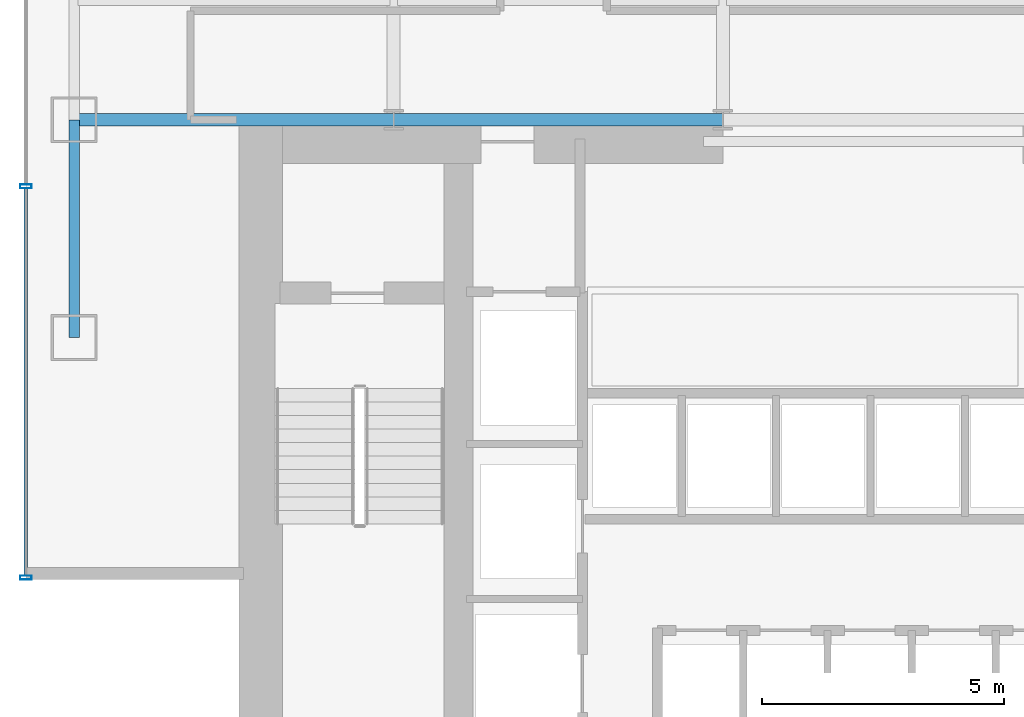
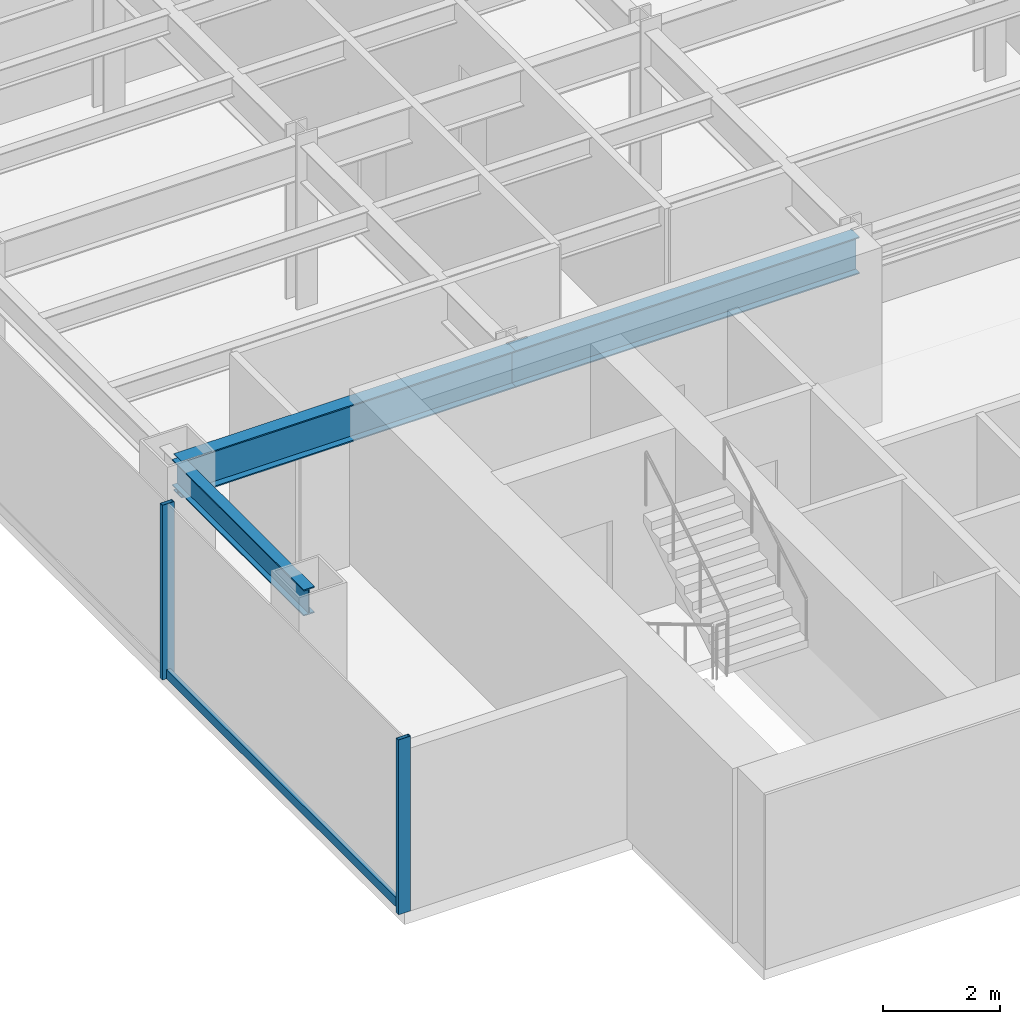
# One storey, part 2 of 22: 3 beams, 3 members, 1 element without a shape of its own.
"""IFC4 building model written with IfcOpenShell, lengths in metres."""

from ifc_helpers import new_model, si_unit, derived_unit, direction, frame, origin, origin_2d, place, context, subcontext, project, spatial, hollow_rectangle, i_section, extrude, source, transform, mapped, material, material_profile, profile_set, type_object, element, aggregate, save


model = new_model("IFC4")

# Units and contexts
model_context = context("Model", 3, precision=1e-05, world=origin(), true_north=direction((0.0, 1.0)))
body_context = subcontext(model_context, "Body", "Model", "MODEL_VIEW")
ifc_project = project(units=[si_unit("LENGTHUNIT", "METRE"), si_unit("AREAUNIT", "SQUARE_METRE"), si_unit("VOLUMEUNIT", "CUBIC_METRE"), si_unit("PLANEANGLEUNIT", "RADIAN"), si_unit("MASSUNIT", "GRAM", prefix="KILO"), derived_unit("THERMALTRANSMITTANCEUNIT", [(si_unit("POWERUNIT", "WATT"), 1), (si_unit("LENGTHUNIT", "METRE"), -2), (si_unit("THERMODYNAMICTEMPERATUREUNIT", "KELVIN"), -1)])], contexts=[model_context])

# Site, building, storey
site_placement = place(None, origin())
site = spatial("IfcSite", under=ifc_project, at=site_placement, CompositionType="ELEMENT")
building_placement = place(site_placement, origin())
building = spatial("IfcBuilding", under=site, at=building_placement, Name="Skarnbrae Concourse Arena and Tower", CompositionType="ELEMENT")
storey_placement = place(building_placement, frame((0.0, 0.0, 72.64990234375)))
storey = spatial("IfcBuildingStorey", under=building, at=storey_placement, Name="L17", CompositionType="ELEMENT", Elevation=72.64990234375)

# Beams
ifc_material_1 = material(Name="Steel CSA G40.21 350W", Category="steel")
ifc_material_profile_1 = material_profile(ifc_material_1, i_section(OverallWidth=0.26806640625, OverallDepth=0.77001953125, WebThickness=0.015625, FlangeThickness=0.025390625, at=origin_2d()), Name="W760X196")
ifc_profile_set_1 = profile_set([ifc_material_profile_1], Name="Steel CSA G40.21 350W")
beam_type_1 = type_object("IfcBeamType", Name="BM-GIRD-W760X196", PredefinedType="BEAM", material=ifc_profile_set_1)
shared_shape_1 = source(origin(), body_context, "Body", "SweptSolid", [
    extrude(i_section(OverallWidth=0.26806640625, OverallDepth=0.77001953125, WebThickness=0.015625, FlangeThickness=0.025390625, at=origin_2d()), origin(), (0.0, 0.0, 1.0), 6.60009765625),
])
beam_1_placement = place(storey_placement, frame((1.0, 14.0, 3.01513671875), z_axis=(1.0, 0.0, 0.0), x_axis=(0.0, 1.0, 0.0)))
element("IfcBeam", 1, at=beam_1_placement, inside=storey, type_object=beam_type_1, Name="L17 Primary E-W girder Y14.0-1", PredefinedType="BEAM", context=body_context, shape_type="MappedRepresentation", body=[
    mapped(shared_shape_1, transform((0.0, 0.0, 0.0))),
])
shared_shape_2 = source(origin(), body_context, "Body", "SweptSolid", [
    extrude(i_section(OverallWidth=0.26806640625, OverallDepth=0.77001953125, WebThickness=0.015625, FlangeThickness=0.025390625, at=origin_2d()), origin(), (0.0, 0.0, 1.0), 6.7998046875),
])
beam_2_placement = place(storey_placement, frame((7.60009765625, 14.0, 3.01513671875), z_axis=(1.0, 0.0, 0.0), x_axis=(0.0, 1.0, 0.0)))
element("IfcBeam", 2, at=beam_2_placement, inside=storey, type_object=beam_type_1, Name="L17 Primary E-W girder Y14.0-2", PredefinedType="BEAM", context=body_context, shape_type="MappedRepresentation", body=[
    mapped(shared_shape_2, transform((0.0, 0.0, 0.0))),
])
ifc_material_profile_2 = material_profile(ifc_material_1, i_section(OverallWidth=0.214111328125, OverallDepth=0.549072265625, WebThickness=0.0146484375, FlangeThickness=0.023681640625, at=origin_2d()), Name="W530X138")
ifc_profile_set_2 = profile_set([ifc_material_profile_2], Name="Steel CSA G40.21 350W")
beam_type_2 = type_object("IfcBeamType", Name="BM-SPAN-W530X138", PredefinedType="SPANDREL", material=ifc_profile_set_2)
shared_shape_3 = source(origin(), body_context, "Body", "SweptSolid", [
    extrude(i_section(OverallWidth=0.214111328125, OverallDepth=0.549072265625, WebThickness=0.0146484375, FlangeThickness=0.023681640625, at=origin_2d()), origin(), (0.0, 0.0, 1.0), 4.5),
])
beam_3_placement = place(storey_placement, frame((1.0, 9.5, 3.12548828125), z_axis=(0.0, 1.0, 0.0), x_axis=(-1.0, 0.0, 0.0)))
element("IfcBeam", 3, at=beam_3_placement, inside=storey, type_object=beam_type_2, Name="L17 Perimeter spandrel X1.0-1", PredefinedType="SPANDREL", context=body_context, shape_type="MappedRepresentation", body=[
    mapped(shared_shape_3, transform((0.0, 0.0, 0.0))),
])

# Curtain wall, members
ifc_material_2 = material(Name="Bronze anodised aluminium 6063-T6", Category="aluminium")
curtain_wall_type = type_object("IfcCurtainWallType", Name="CW-SYS-02-LOWZONE", PredefinedType="USERDEFINED", material=ifc_material_2)
curtain_wall_placement = place(storey_placement, origin())
curtain_wall = element("IfcCurtainWall", 4, at=curtain_wall_placement, inside=storey, type_object=curtain_wall_type, Name="L17 Unitised curtain wall CW-L17-E19", ObjectType="UNITISED CURTAIN WALL", PredefinedType="USERDEFINED")
ifc_material_profile_3 = material_profile(ifc_material_2, hollow_rectangle(XDim=0.080078125, YDim=0.18994140625, WallThickness=0.0048828125, at=origin_2d()), Name="ALU-TRAN-80X190")
ifc_profile_set_3 = profile_set([ifc_material_profile_3], Name="Bronze anodised aluminium 6063-T6")
member_type_1 = type_object("IfcMemberType", Name="CWT-CW-02", PredefinedType="USERDEFINED", material=ifc_profile_set_3)
shared_shape_4 = source(origin(), body_context, "Body", "SweptSolid", [
    extrude(hollow_rectangle(XDim=0.080078125, YDim=0.18994140625, WallThickness=0.0048828125, at=origin_2d()), origin(), (0.0, 0.0, 1.0), 8.0048828125),
])
member_1_placement = place(storey_placement, frame((0.0, 12.5849609375, 0.09521484375), z_axis=(0.0, -1.0, 0.0), x_axis=(1.0, 0.0, 0.0)))
member_1 = element("IfcMember", 5, at=member_1_placement, type_object=member_type_1, Name="CW-L17-E19 Transom 4", ObjectType="TRANSOM", PredefinedType="USERDEFINED", context=body_context, shape_type="MappedRepresentation", body=[
    mapped(shared_shape_4, transform((0.0, 0.0, 0.0))),
])
ifc_material_profile_4 = material_profile(ifc_material_2, hollow_rectangle(XDim=0.080078125, YDim=0.239990234375, WallThickness=0.0048828125, at=origin_2d()), Name="ALU-MULL-80X240")
ifc_profile_set_4 = profile_set([ifc_material_profile_4], Name="Bronze anodised aluminium 6063-T6")
member_type_2 = type_object("IfcMemberType", Name="CWM-CW-02", PredefinedType="MULLION", material=ifc_profile_set_4)
shared_shape_5 = source(origin(), body_context, "Body", "SweptSolid", [
    extrude(hollow_rectangle(XDim=0.080078125, YDim=0.239990234375, WallThickness=0.0048828125, at=origin_2d()), origin(), (0.0, 0.0, 1.0), 3.650146484375),
])
member_2_placement = place(storey_placement, frame((0.0, 12.625, 0.0), z_axis=(0.0, 0.0, 1.0), x_axis=(0.0, -1.0, 0.0)))
member_2 = element("IfcMember", 6, at=member_2_placement, type_object=member_type_2, Name="CW-L17-E19 Mullion 4", PredefinedType="MULLION", context=body_context, shape_type="MappedRepresentation", body=[
    mapped(shared_shape_5, transform((0.0, 0.0, 0.0))),
])
member_3_placement = place(storey_placement, frame((0.0, 4.5400390625, 0.0), z_axis=(0.0, 0.0, 1.0), x_axis=(0.0, -1.0, 0.0)))
member_3 = element("IfcMember", 7, at=member_3_placement, type_object=member_type_2, Name="CW-L17-E19 Mullion 5", PredefinedType="MULLION", context=body_context, shape_type="MappedRepresentation", body=[
    mapped(shared_shape_5, transform((0.0, 0.0, 0.0))),
])
aggregate(curtain_wall, [member_2, member_3, member_1])

save(model, "model.ifc")
